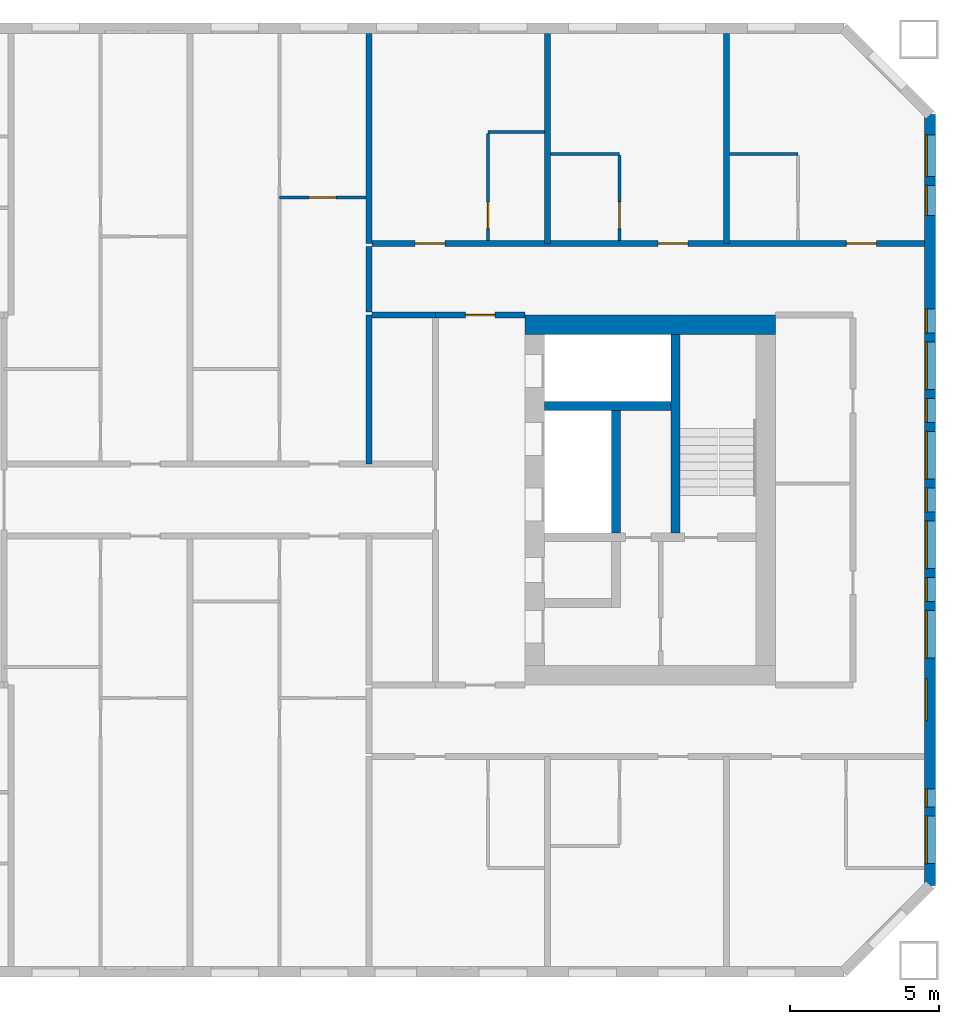
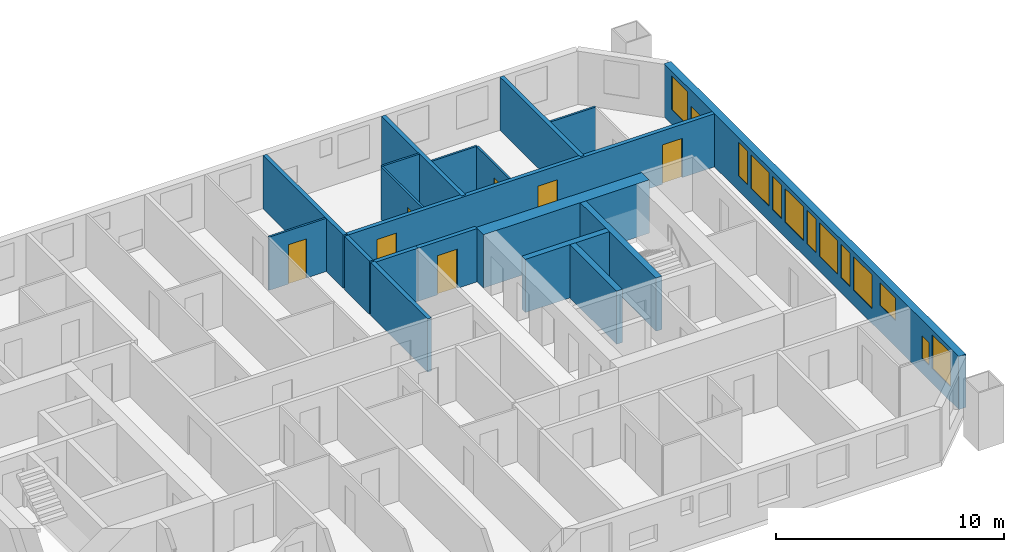
# One storey, part 14 of 17: 19 walls, 13 windows, 7 doors, 20 openings.
"""IFC4 building model written with IfcOpenShell, lengths in metres."""

from ifc_helpers import new_model, si_unit, direction, frame, frame_2d, origin, place, context, subcontext, project, spatial, rectangle, extrude, material, layer, layer_set, type_object, element, fill, save


model = new_model("IFC4")

# Units and contexts
model_context = context("Model", 3, precision=1e-05, world=origin(), true_north=direction((0.0, 1.0)))
body_context = subcontext(model_context, "Body", "Model", "MODEL_VIEW")
ifc_project = project(units=[si_unit("LENGTHUNIT", "METRE"), si_unit("AREAUNIT", "SQUARE_METRE"), si_unit("VOLUMEUNIT", "CUBIC_METRE"), si_unit("PLANEANGLEUNIT", "RADIAN"), si_unit("MASSUNIT", "GRAM", prefix="KILO")], contexts=[model_context])

# Site, building, storey
site_placement = place(None, origin())
site = spatial("IfcSite", under=ifc_project, at=site_placement, CompositionType="ELEMENT")
building_placement = place(site_placement, origin())
building = spatial("IfcBuilding", under=site, at=building_placement, Name="Tuart Gate Housing", CompositionType="ELEMENT")
storey_placement = place(building_placement, frame((0.0, 0.0, 108.800048828125)))
storey = spatial("IfcBuildingStorey", under=building, at=storey_placement, Name="L30", CompositionType="ELEMENT", Elevation=108.800048828125)

# Wall, openings, windows
ifc_material_1 = material(Name="Brick", Category="masonry")
ifc_layer_1 = layer(ifc_material_1, 0.360107421875)
ifc_layer_set_1 = layer_set([ifc_layer_1], Name="Brick pier and spandrel wall 360")
wall_type_1 = type_object("IfcWallType", Name="Brick pier and spandrel wall 360", PredefinedType="STANDARD", material=ifc_layer_set_1)
wall_1_placement = place(storey_placement, frame((173.820068359375, 57.07470703125, 0.0), z_axis=(0.0, 0.0, 1.0), x_axis=(0.0, 1.0, 0.0)))
wall_1 = element("IfcWall", 1, at=wall_1_placement, inside=storey, type_object=wall_type_1, Name="External wall B-E L30", PredefinedType="STANDARD", context=body_context, shape_type="SweptSolid", body=[
    extrude(rectangle(XDim=25.850830078125, YDim=0.360107421875, at=frame_2d((12.92529296875, 0.0))), origin(), (0.0, 0.0, 1.0), 2.849853515625),
])
opening_1_placement = place(wall_1_placement, frame((0.725341796875, 0.0, 0.800048828125)))
opening_1 = element("IfcOpeningElement", 2, at=opening_1_placement, cuts=wall_1, Name="Opening W1", PredefinedType="OPENING", context=body_context, shape_type="SweptSolid", body=[
    extrude(rectangle(XDim=1.60009765625, YDim=1.800048828125, at=frame_2d((0.800048828125, 0.89990234375))), frame((0.0, 0.18994140625, 0.0), z_axis=(0.0, -1.0, 0.0), x_axis=(1.0, 0.0, 0.0)), (0.0, 0.0, 1.0), 0.380126953125),
])
opening_2_placement = place(wall_1_placement, frame((5.525390625, 0.0, 1.39990234375)))
opening_2 = element("IfcOpeningElement", 3, at=opening_2_placement, cuts=wall_1, Name="Opening W1M", PredefinedType="OPENING", context=body_context, shape_type="SweptSolid", body=[
    extrude(rectangle(XDim=1.39990234375, YDim=1.199951171875, at=frame_2d((0.699951171875, 0.60009765625))), frame((0.0, 0.18994140625, 0.0), z_axis=(0.0, -1.0, 0.0), x_axis=(1.0, 0.0, 0.0)), (0.0, 0.0, 1.0), 0.380126953125),
])
opening_3_placement = place(wall_1_placement, frame((7.62548828125, 0.0, 0.800048828125)))
opening_3 = element("IfcOpeningElement", 4, at=opening_3_placement, cuts=wall_1, Name="Opening W1", PredefinedType="OPENING", context=body_context, shape_type="SweptSolid", body=[
    extrude(rectangle(XDim=1.60009765625, YDim=1.800048828125, at=frame_2d((0.800048828125, 0.89990234375))), frame((0.0, 0.18994140625, 0.0), z_axis=(0.0, -1.0, 0.0), x_axis=(1.0, 0.0, 0.0)), (0.0, 0.0, 1.0), 0.380126953125),
])
opening_4_placement = place(wall_1_placement, frame((10.62548828125, 0.0, 0.800048828125)))
opening_4 = element("IfcOpeningElement", 5, at=opening_4_placement, cuts=wall_1, Name="Opening W1", PredefinedType="OPENING", context=body_context, shape_type="SweptSolid", body=[
    extrude(rectangle(XDim=1.60009765625, YDim=1.800048828125, at=frame_2d((0.800048828125, 0.89990234375))), frame((0.0, 0.18994140625, 0.0), z_axis=(0.0, -1.0, 0.0), x_axis=(1.0, 0.0, 0.0)), (0.0, 0.0, 1.0), 0.380126953125),
])
opening_5_placement = place(wall_1_placement, frame((13.62548828125, 0.0, 0.800048828125)))
opening_5 = element("IfcOpeningElement", 6, at=opening_5_placement, cuts=wall_1, Name="Opening W1", PredefinedType="OPENING", context=body_context, shape_type="SweptSolid", body=[
    extrude(rectangle(XDim=1.60009765625, YDim=1.800048828125, at=frame_2d((0.800048828125, 0.89990234375))), frame((0.0, 0.18994140625, 0.0), z_axis=(0.0, -1.0, 0.0), x_axis=(1.0, 0.0, 0.0)), (0.0, 0.0, 1.0), 0.380126953125),
])
opening_6_placement = place(wall_1_placement, frame((16.62548828125, 0.0, 0.800048828125)))
opening_6 = element("IfcOpeningElement", 7, at=opening_6_placement, cuts=wall_1, Name="Opening W1", PredefinedType="OPENING", context=body_context, shape_type="SweptSolid", body=[
    extrude(rectangle(XDim=1.60009765625, YDim=1.800048828125, at=frame_2d((0.800048828125, 0.89990234375))), frame((0.0, 0.18994140625, 0.0), z_axis=(0.0, -1.0, 0.0), x_axis=(1.0, 0.0, 0.0)), (0.0, 0.0, 1.0), 0.380126953125),
])
opening_7_placement = place(wall_1_placement, frame((9.525390625, 0.0, 0.800048828125)))
opening_7 = element("IfcOpeningElement", 8, at=opening_7_placement, cuts=wall_1, Name="Opening W1D", PredefinedType="OPENING", context=body_context, shape_type="SweptSolid", body=[
    extrude(rectangle(XDim=0.800048828125, YDim=1.800048828125, at=frame_2d((0.39990234375, 0.89990234375))), frame((0.0, 0.18994140625, 0.0), z_axis=(0.0, -1.0, 0.0), x_axis=(1.0, 0.0, 0.0)), (0.0, 0.0, 1.0), 0.380126953125),
])
opening_8_placement = place(wall_1_placement, frame((22.475341796875, 0.0, 0.800048828125)))
opening_8 = element("IfcOpeningElement", 9, at=opening_8_placement, cuts=wall_1, Name="Opening W1O", PredefinedType="OPENING", context=body_context, shape_type="SweptSolid", body=[
    extrude(rectangle(XDim=1.0, YDim=1.199951171875, at=frame_2d((0.5, 0.60009765625))), frame((0.0, 0.18994140625, 0.0), z_axis=(0.0, -1.0, 0.0), x_axis=(1.0, 0.0, 0.0)), (0.0, 0.0, 1.0), 0.380126953125),
])
opening_9_placement = place(wall_1_placement, frame((2.62548828125, 0.0, 0.800048828125)))
opening_9 = element("IfcOpeningElement", 10, at=opening_9_placement, cuts=wall_1, Name="Opening W1Q", PredefinedType="OPENING", context=body_context, shape_type="SweptSolid", body=[
    extrude(rectangle(XDim=0.60009765625, YDim=1.199951171875, at=frame_2d((0.300048828125, 0.60009765625))), frame((0.0, 0.18994140625, 0.0), z_axis=(0.0, -1.0, 0.0), x_axis=(1.0, 0.0, 0.0)), (0.0, 0.0, 1.0), 0.380126953125),
])
opening_10_placement = place(wall_1_placement, frame((12.525390625, 0.0, 0.800048828125)))
opening_10 = element("IfcOpeningElement", 11, at=opening_10_placement, cuts=wall_1, Name="Opening W1D", PredefinedType="OPENING", context=body_context, shape_type="SweptSolid", body=[
    extrude(rectangle(XDim=0.800048828125, YDim=1.800048828125, at=frame_2d((0.39990234375, 0.89990234375))), frame((0.0, 0.18994140625, 0.0), z_axis=(0.0, -1.0, 0.0), x_axis=(1.0, 0.0, 0.0)), (0.0, 0.0, 1.0), 0.380126953125),
])
opening_11_placement = place(wall_1_placement, frame((15.525390625, 0.0, 0.800048828125)))
opening_11 = element("IfcOpeningElement", 12, at=opening_11_placement, cuts=wall_1, Name="Opening W1D", PredefinedType="OPENING", context=body_context, shape_type="SweptSolid", body=[
    extrude(rectangle(XDim=0.800048828125, YDim=1.800048828125, at=frame_2d((0.39990234375, 0.89990234375))), frame((0.0, 0.18994140625, 0.0), z_axis=(0.0, -1.0, 0.0), x_axis=(1.0, 0.0, 0.0)), (0.0, 0.0, 1.0), 0.380126953125),
])
opening_12_placement = place(wall_1_placement, frame((18.525390625, 0.0, 0.800048828125)))
opening_12 = element("IfcOpeningElement", 13, at=opening_12_placement, cuts=wall_1, Name="Opening W1D", PredefinedType="OPENING", context=body_context, shape_type="SweptSolid", body=[
    extrude(rectangle(XDim=0.800048828125, YDim=1.800048828125, at=frame_2d((0.39990234375, 0.89990234375))), frame((0.0, 0.18994140625, 0.0), z_axis=(0.0, -1.0, 0.0), x_axis=(1.0, 0.0, 0.0)), (0.0, 0.0, 1.0), 0.380126953125),
])
opening_13_placement = place(wall_1_placement, frame((23.775390625, 0.0, 0.800048828125)))
opening_13 = element("IfcOpeningElement", 14, at=opening_13_placement, cuts=wall_1, Name="Opening W1A", PredefinedType="OPENING", context=body_context, shape_type="SweptSolid", body=[
    extrude(rectangle(XDim=1.39990234375, YDim=1.800048828125, at=frame_2d((0.699951171875, 0.89990234375))), frame((0.0, 0.18994140625, 0.0), z_axis=(0.0, -1.0, 0.0), x_axis=(1.0, 0.0, 0.0)), (0.0, 0.0, 1.0), 0.380126953125),
])
ifc_material_2 = material(Name="Aluminium frame with clear glass", Category="aluminium")
window_type_1 = type_object("IfcWindowType", Name="Punched window 1000 x 1200", PartitioningType="SINGLE_PANEL", PredefinedType="WINDOW", material=ifc_material_2)
window_1_placement = place(opening_8_placement, origin())
window_1 = element("IfcWindow", 15, at=window_1_placement, inside=storey, type_object=window_type_1, Name="Window W1O", OverallHeight=1.199951171875, OverallWidth=1.0, PartitioningType="SINGLE_PANEL", PredefinedType="WINDOW", context=body_context, shape_type="SweptSolid", body=[
    extrude(rectangle(XDim=1.0, YDim=1.199951171875, at=frame_2d((0.5, 0.60009765625))), frame((0.0, 0.150146484375, 0.0), z_axis=(0.0, -1.0, 0.0), x_axis=(1.0, 0.0, 0.0)), (0.0, 0.0, 1.0), 0.06005859375),
])
fill(opening_8, window_1)
ifc_material_3 = material(Name="Aluminium frame with clear glass", Category="aluminium")
window_type_2 = type_object("IfcWindowType", Name="Punched window 1400 x 1200", PartitioningType="SINGLE_PANEL", PredefinedType="WINDOW", material=ifc_material_3)
window_2_placement = place(opening_2_placement, origin())
window_2 = element("IfcWindow", 16, at=window_2_placement, inside=storey, type_object=window_type_2, Name="Window W1M", OverallHeight=1.199951171875, OverallWidth=1.39990234375, PartitioningType="SINGLE_PANEL", PredefinedType="WINDOW", context=body_context, shape_type="SweptSolid", body=[
    extrude(rectangle(XDim=1.39990234375, YDim=1.199951171875, at=frame_2d((0.699951171875, 0.60009765625))), frame((0.0, 0.150146484375, 0.0), z_axis=(0.0, -1.0, 0.0), x_axis=(1.0, 0.0, 0.0)), (0.0, 0.0, 1.0), 0.06005859375),
])
fill(opening_2, window_2)
ifc_material_4 = material(Name="Aluminium frame with clear glass", Category="aluminium")
window_type_3 = type_object("IfcWindowType", Name="Punched window 1400 x 1800", PartitioningType="SINGLE_PANEL", PredefinedType="WINDOW", material=ifc_material_4)
window_3_placement = place(opening_13_placement, origin())
window_3 = element("IfcWindow", 17, at=window_3_placement, inside=storey, type_object=window_type_3, Name="Window W1A", OverallHeight=1.800048828125, OverallWidth=1.39990234375, PartitioningType="SINGLE_PANEL", PredefinedType="WINDOW", context=body_context, shape_type="SweptSolid", body=[
    extrude(rectangle(XDim=1.39990234375, YDim=1.800048828125, at=frame_2d((0.699951171875, 0.89990234375))), frame((0.0, 0.150146484375, 0.0), z_axis=(0.0, -1.0, 0.0), x_axis=(1.0, 0.0, 0.0)), (0.0, 0.0, 1.0), 0.06005859375),
])
fill(opening_13, window_3)
ifc_material_5 = material(Name="Aluminium frame with clear glass", Category="aluminium")
window_type_4 = type_object("IfcWindowType", Name="Punched window 1600 x 1800", PartitioningType="SINGLE_PANEL", PredefinedType="WINDOW", material=ifc_material_5)
window_4_placement = place(opening_1_placement, origin())
window_4 = element("IfcWindow", 18, at=window_4_placement, inside=storey, type_object=window_type_4, Name="Window W1", OverallHeight=1.800048828125, OverallWidth=1.60009765625, PartitioningType="SINGLE_PANEL", PredefinedType="WINDOW", context=body_context, shape_type="SweptSolid", body=[
    extrude(rectangle(XDim=1.60009765625, YDim=1.800048828125, at=frame_2d((0.800048828125, 0.89990234375))), frame((0.0, 0.150146484375, 0.0), z_axis=(0.0, -1.0, 0.0), x_axis=(1.0, 0.0, 0.0)), (0.0, 0.0, 1.0), 0.06005859375),
])
fill(opening_1, window_4)
window_5_placement = place(opening_3_placement, origin())
window_5 = element("IfcWindow", 19, at=window_5_placement, inside=storey, type_object=window_type_4, Name="Window W1", OverallHeight=1.800048828125, OverallWidth=1.60009765625, PartitioningType="SINGLE_PANEL", PredefinedType="WINDOW", context=body_context, shape_type="SweptSolid", body=[
    extrude(rectangle(XDim=1.60009765625, YDim=1.800048828125, at=frame_2d((0.800048828125, 0.89990234375))), frame((0.0, 0.150146484375, 0.0), z_axis=(0.0, -1.0, 0.0), x_axis=(1.0, 0.0, 0.0)), (0.0, 0.0, 1.0), 0.06005859375),
])
fill(opening_3, window_5)
window_6_placement = place(opening_4_placement, origin())
window_6 = element("IfcWindow", 20, at=window_6_placement, inside=storey, type_object=window_type_4, Name="Window W1", OverallHeight=1.800048828125, OverallWidth=1.60009765625, PartitioningType="SINGLE_PANEL", PredefinedType="WINDOW", context=body_context, shape_type="SweptSolid", body=[
    extrude(rectangle(XDim=1.60009765625, YDim=1.800048828125, at=frame_2d((0.800048828125, 0.89990234375))), frame((0.0, 0.150146484375, 0.0), z_axis=(0.0, -1.0, 0.0), x_axis=(1.0, 0.0, 0.0)), (0.0, 0.0, 1.0), 0.06005859375),
])
fill(opening_4, window_6)
window_7_placement = place(opening_5_placement, origin())
window_7 = element("IfcWindow", 21, at=window_7_placement, inside=storey, type_object=window_type_4, Name="Window W1", OverallHeight=1.800048828125, OverallWidth=1.60009765625, PartitioningType="SINGLE_PANEL", PredefinedType="WINDOW", context=body_context, shape_type="SweptSolid", body=[
    extrude(rectangle(XDim=1.60009765625, YDim=1.800048828125, at=frame_2d((0.800048828125, 0.89990234375))), frame((0.0, 0.150146484375, 0.0), z_axis=(0.0, -1.0, 0.0), x_axis=(1.0, 0.0, 0.0)), (0.0, 0.0, 1.0), 0.06005859375),
])
fill(opening_5, window_7)
window_8_placement = place(opening_6_placement, origin())
window_8 = element("IfcWindow", 22, at=window_8_placement, inside=storey, type_object=window_type_4, Name="Window W1", OverallHeight=1.800048828125, OverallWidth=1.60009765625, PartitioningType="SINGLE_PANEL", PredefinedType="WINDOW", context=body_context, shape_type="SweptSolid", body=[
    extrude(rectangle(XDim=1.60009765625, YDim=1.800048828125, at=frame_2d((0.800048828125, 0.89990234375))), frame((0.0, 0.150146484375, 0.0), z_axis=(0.0, -1.0, 0.0), x_axis=(1.0, 0.0, 0.0)), (0.0, 0.0, 1.0), 0.06005859375),
])
fill(opening_6, window_8)
ifc_material_6 = material(Name="Aluminium frame with clear glass", Category="aluminium")
window_type_5 = type_object("IfcWindowType", Name="Punched window 600 x 1200", PartitioningType="SINGLE_PANEL", PredefinedType="WINDOW", material=ifc_material_6)
window_9_placement = place(opening_9_placement, origin())
window_9 = element("IfcWindow", 23, at=window_9_placement, inside=storey, type_object=window_type_5, Name="Window W1Q", OverallHeight=1.199951171875, OverallWidth=0.60009765625, PartitioningType="SINGLE_PANEL", PredefinedType="WINDOW", context=body_context, shape_type="SweptSolid", body=[
    extrude(rectangle(XDim=0.60009765625, YDim=1.199951171875, at=frame_2d((0.300048828125, 0.60009765625))), frame((0.0, 0.150146484375, 0.0), z_axis=(0.0, -1.0, 0.0), x_axis=(1.0, 0.0, 0.0)), (0.0, 0.0, 1.0), 0.06005859375),
])
fill(opening_9, window_9)
ifc_material_7 = material(Name="Aluminium frame with clear glass", Category="aluminium")
window_type_6 = type_object("IfcWindowType", Name="Punched window 800 x 1800", PartitioningType="SINGLE_PANEL", PredefinedType="WINDOW", material=ifc_material_7)
window_10_placement = place(opening_7_placement, origin())
window_10 = element("IfcWindow", 24, at=window_10_placement, inside=storey, type_object=window_type_6, Name="Window W1D", OverallHeight=1.800048828125, OverallWidth=0.800048828125, PartitioningType="SINGLE_PANEL", PredefinedType="WINDOW", context=body_context, shape_type="SweptSolid", body=[
    extrude(rectangle(XDim=0.800048828125, YDim=1.800048828125, at=frame_2d((0.39990234375, 0.89990234375))), frame((0.0, 0.150146484375, 0.0), z_axis=(0.0, -1.0, 0.0), x_axis=(1.0, 0.0, 0.0)), (0.0, 0.0, 1.0), 0.06005859375),
])
fill(opening_7, window_10)
window_11_placement = place(opening_10_placement, origin())
window_11 = element("IfcWindow", 25, at=window_11_placement, inside=storey, type_object=window_type_6, Name="Window W1D", OverallHeight=1.800048828125, OverallWidth=0.800048828125, PartitioningType="SINGLE_PANEL", PredefinedType="WINDOW", context=body_context, shape_type="SweptSolid", body=[
    extrude(rectangle(XDim=0.800048828125, YDim=1.800048828125, at=frame_2d((0.39990234375, 0.89990234375))), frame((0.0, 0.150146484375, 0.0), z_axis=(0.0, -1.0, 0.0), x_axis=(1.0, 0.0, 0.0)), (0.0, 0.0, 1.0), 0.06005859375),
])
fill(opening_10, window_11)
window_12_placement = place(opening_11_placement, origin())
window_12 = element("IfcWindow", 26, at=window_12_placement, inside=storey, type_object=window_type_6, Name="Window W1D", OverallHeight=1.800048828125, OverallWidth=0.800048828125, PartitioningType="SINGLE_PANEL", PredefinedType="WINDOW", context=body_context, shape_type="SweptSolid", body=[
    extrude(rectangle(XDim=0.800048828125, YDim=1.800048828125, at=frame_2d((0.39990234375, 0.89990234375))), frame((0.0, 0.150146484375, 0.0), z_axis=(0.0, -1.0, 0.0), x_axis=(1.0, 0.0, 0.0)), (0.0, 0.0, 1.0), 0.06005859375),
])
fill(opening_11, window_12)
window_13_placement = place(opening_12_placement, origin())
window_13 = element("IfcWindow", 27, at=window_13_placement, inside=storey, type_object=window_type_6, Name="Window W1D", OverallHeight=1.800048828125, OverallWidth=0.800048828125, PartitioningType="SINGLE_PANEL", PredefinedType="WINDOW", context=body_context, shape_type="SweptSolid", body=[
    extrude(rectangle(XDim=0.800048828125, YDim=1.800048828125, at=frame_2d((0.39990234375, 0.89990234375))), frame((0.0, 0.150146484375, 0.0), z_axis=(0.0, -1.0, 0.0), x_axis=(1.0, 0.0, 0.0)), (0.0, 0.0, 1.0), 0.06005859375),
])
fill(opening_12, window_13)

# Walls
ifc_material_8 = material(Name="Concrete C50", Category="concrete")
ifc_layer_2 = layer(ifc_material_8, 0.300048828125)
ifc_layer_set_2 = layer_set([ifc_layer_2], Name="Core wall 300 C50")
wall_type_2 = type_object("IfcWallType", Name="Core wall 300 C50", PredefinedType="SHEAR", material=ifc_layer_set_2)
wall_2_placement = place(storey_placement, frame((160.889892578125, 73.14990234375, 0.0), z_axis=(0.0, 0.0, 1.0), x_axis=(1.0, 0.0, 0.0)))
element("IfcWall", 28, at=wall_2_placement, inside=storey, type_object=wall_type_2, Name="Core wall BK.1", PredefinedType="SHEAR", context=body_context, shape_type="SweptSolid", body=[
    extrude(rectangle(XDim=4.25, YDim=0.300048828125, at=frame_2d((2.125, 0.0))), origin(), (0.0, 0.0, 1.0), 2.849853515625),
])
wall_3_placement = place(storey_placement, frame((163.2900390625, 73.0, 0.0), z_axis=(0.0, 0.0, 1.0), x_axis=(0.0, -1.0, 0.0)))
element("IfcWall", 29, at=wall_3_placement, inside=storey, type_object=wall_type_2, Name="Core wall BK.4", PredefinedType="SHEAR", context=body_context, shape_type="SweptSolid", body=[
    extrude(rectangle(XDim=4.10009765625, YDim=0.300048828125, at=frame_2d((2.050048828125, 0.0))), origin(), (0.0, 0.0, 1.0), 2.849853515625),
])
wall_4_placement = place(storey_placement, frame((165.2900390625, 75.550048828125, 0.0), z_axis=(0.0, 0.0, 1.0), x_axis=(0.0, -1.0, 0.0)))
element("IfcWall", 30, at=wall_4_placement, inside=storey, type_object=wall_type_2, Name="Core wall BK.7", PredefinedType="SHEAR", context=body_context, shape_type="SweptSolid", body=[
    extrude(rectangle(XDim=6.650146484375, YDim=0.300048828125, at=frame_2d((3.3251953125, 0.0))), origin(), (0.0, 0.0, 1.0), 2.849853515625),
])
ifc_material_9 = material(Name="Concrete C50", Category="concrete")
ifc_layer_3 = layer(ifc_material_9, 0.64990234375)
ifc_layer_set_3 = layer_set([ifc_layer_3], Name="Core wall 650 C50")
wall_type_3 = type_object("IfcWallType", Name="Core wall 650 C50", PredefinedType="SHEAR", material=ifc_layer_set_3)
wall_5_placement = place(storey_placement, frame((160.239990234375, 75.875, 0.0), z_axis=(0.0, 0.0, 1.0), x_axis=(1.0, 0.0, 0.0)))
element("IfcWall", 31, at=wall_5_placement, inside=storey, type_object=wall_type_3, Name="Core wall BK south", PredefinedType="SHEAR", context=body_context, shape_type="SweptSolid", body=[
    extrude(rectangle(XDim=8.39990234375, YDim=0.64990234375, at=frame_2d((4.199951171875, 0.0))), origin(), (0.0, 0.0, 1.0), 2.849853515625),
])
ifc_material_10 = material(Name="Concrete masonry 15 MPa", Category="masonry")
ifc_layer_4 = layer(ifc_material_10, 0.199951171875)
ifc_layer_set_4 = layer_set([ifc_layer_4], Name="Corridor wall masonry 200")
wall_type_4 = type_object("IfcWallType", Name="Corridor wall masonry 200", PredefinedType="PARTITIONING", material=ifc_layer_set_4)
wall_6_placement = place(storey_placement, frame((155.10009765625, 76.199951171875, 0.0), z_axis=(0.0, 0.0, 1.0), x_axis=(1.0, 0.0, 0.0)))
element("IfcWall", 32, at=wall_6_placement, inside=storey, type_object=wall_type_4, Name="Corridor wall masonry 200", PredefinedType="PARTITIONING", context=body_context, shape_type="SweptSolid", body=[
    extrude(rectangle(XDim=2.139892578125, YDim=0.199951171875, at=frame_2d((1.06982421875, 0.0))), origin(), (0.0, 0.0, 1.0), 2.849853515625),
])

# Wall, openings, doors
wall_7_placement = place(storey_placement, frame((155.10009765625, 78.60009765625, 0.0), z_axis=(0.0, 0.0, 1.0), x_axis=(1.0, 0.0, 0.0)))
wall_7 = element("IfcWall", 33, at=wall_7_placement, inside=storey, type_object=wall_type_4, Name="Corridor wall masonry 200", PredefinedType="PARTITIONING", context=body_context, shape_type="SweptSolid", body=[
    extrude(rectangle(XDim=18.539794921875, YDim=0.199951171875, at=frame_2d((9.27001953125, 0.0))), origin(), (0.0, 0.0, 1.0), 2.849853515625),
])
opening_14_placement = place(wall_7_placement, frame((1.449951171875, 0.0, 0.0)))
opening_14 = element("IfcOpeningElement", 34, at=opening_14_placement, cuts=wall_7, Name="Opening D1246", PredefinedType="OPENING", context=body_context, shape_type="SweptSolid", body=[
    extrude(rectangle(XDim=1.0, YDim=2.10009765625, at=frame_2d((0.5, 1.050048828125))), frame((0.0, 0.10986328125, 0.0), z_axis=(0.0, -1.0, 0.0), x_axis=(1.0, 0.0, 0.0)), (0.0, 0.0, 1.0), 0.219970703125),
])
opening_15_placement = place(wall_7_placement, frame((9.60009765625, 0.0, 0.0)))
opening_15 = element("IfcOpeningElement", 35, at=opening_15_placement, cuts=wall_7, Name="Opening D1247", PredefinedType="OPENING", context=body_context, shape_type="SweptSolid", body=[
    extrude(rectangle(XDim=1.0, YDim=2.10009765625, at=frame_2d((0.5, 1.050048828125))), frame((0.0, 0.10986328125, 0.0), z_axis=(0.0, -1.0, 0.0), x_axis=(1.0, 0.0, 0.0)), (0.0, 0.0, 1.0), 0.219970703125),
])
opening_16_placement = place(wall_7_placement, frame((15.919921875, 0.0, 0.0)))
opening_16 = element("IfcOpeningElement", 36, at=opening_16_placement, cuts=wall_7, Name="Opening D1248", PredefinedType="OPENING", context=body_context, shape_type="SweptSolid", body=[
    extrude(rectangle(XDim=1.0, YDim=2.10009765625, at=frame_2d((0.5, 1.050048828125))), frame((0.0, 0.10986328125, 0.0), z_axis=(0.0, -1.0, 0.0), x_axis=(1.0, 0.0, 0.0)), (0.0, 0.0, 1.0), 0.219970703125),
])
ifc_material_11 = material(Name="Timber door leaf in steel frame", Category="steel")
door_type_1 = type_object("IfcDoorType", Name="Flat entrance door 1000", OperationType="SINGLE_SWING_LEFT", PredefinedType="DOOR", material=ifc_material_11)
door_1_placement = place(opening_15_placement, origin())
door_1 = element("IfcDoor", 37, at=door_1_placement, inside=storey, type_object=door_type_1, Name="Flat entrance door", OperationType="SINGLE_SWING_LEFT", OverallHeight=2.10009765625, OverallWidth=1.0, PredefinedType="DOOR", context=body_context, shape_type="SweptSolid", body=[
    extrude(rectangle(XDim=1.0, YDim=2.10009765625, at=frame_2d((0.5, 1.050048828125))), frame((0.0, 0.02490234375, 0.0), z_axis=(0.0, -1.0, 0.0), x_axis=(1.0, 0.0, 0.0)), (0.0, 0.0, 1.0), 0.050048828125),
])
fill(opening_15, door_1)
door_2_placement = place(opening_16_placement, origin())
door_2 = element("IfcDoor", 38, at=door_2_placement, inside=storey, type_object=door_type_1, Name="Flat entrance door", OperationType="SINGLE_SWING_LEFT", OverallHeight=2.10009765625, OverallWidth=1.0, PredefinedType="DOOR", context=body_context, shape_type="SweptSolid", body=[
    extrude(rectangle(XDim=1.0, YDim=2.10009765625, at=frame_2d((0.5, 1.050048828125))), frame((0.0, 0.02490234375, 0.0), z_axis=(0.0, -1.0, 0.0), x_axis=(1.0, 0.0, 0.0)), (0.0, 0.0, 1.0), 0.050048828125),
])
fill(opening_16, door_2)
ifc_material_12 = material(Name="Timber door leaf in steel frame", Category="steel")
door_type_2 = type_object("IfcDoorType", Name="Flat entrance door 1000 RH", OperationType="SINGLE_SWING_RIGHT", PredefinedType="DOOR", material=ifc_material_12)
door_3_placement = place(opening_14_placement, origin())
door_3 = element("IfcDoor", 39, at=door_3_placement, inside=storey, type_object=door_type_2, Name="Flat entrance door", OperationType="SINGLE_SWING_RIGHT", OverallHeight=2.10009765625, OverallWidth=1.0, PredefinedType="DOOR", context=body_context, shape_type="SweptSolid", body=[
    extrude(rectangle(XDim=1.0, YDim=2.10009765625, at=frame_2d((0.5, 1.050048828125))), frame((0.0, 0.02490234375, 0.0), z_axis=(0.0, -1.0, 0.0), x_axis=(1.0, 0.0, 0.0)), (0.0, 0.0, 1.0), 0.050048828125),
])
fill(opening_14, door_3)

# Wall
wall_8_placement = place(storey_placement, frame((155.0, 76.300048828125, 0.0), z_axis=(0.0, 0.0, 1.0), x_axis=(0.0, 1.0, 0.0)))
element("IfcWall", 40, at=wall_8_placement, inside=storey, type_object=wall_type_4, Name="Corridor wall masonry 200", PredefinedType="PARTITIONING", context=body_context, shape_type="SweptSolid", body=[
    extrude(rectangle(XDim=2.199951171875, YDim=0.199951171875, at=frame_2d((1.10009765625, 0.0))), origin(), (0.0, 0.0, 1.0), 2.849853515625),
])

# Wall, opening, door
ifc_material_13 = material(Name="Concrete masonry 15 MPa", Category="masonry")
ifc_layer_5 = layer(ifc_material_13, 0.199951171875)
ifc_layer_set_5 = layer_set([ifc_layer_5], Name="Enclosure wall masonry 200")
wall_type_5 = type_object("IfcWallType", Name="Enclosure wall masonry 200", PredefinedType="PARTITIONING", material=ifc_layer_set_5)
wall_9_placement = place(storey_placement, frame((157.239990234375, 76.199951171875, 0.0), z_axis=(0.0, 0.0, 1.0), x_axis=(1.0, 0.0, 0.0)))
wall_9 = element("IfcWall", 41, at=wall_9_placement, inside=storey, type_object=wall_type_5, Name="Enclosure wall masonry 200", PredefinedType="PARTITIONING", context=body_context, shape_type="SweptSolid", body=[
    extrude(rectangle(XDim=3.0, YDim=0.199951171875, at=frame_2d((1.5, 0.0))), origin(), (0.0, 0.0, 1.0), 2.849853515625),
])
opening_17_placement = place(wall_9_placement, frame((1.0, 0.0, 0.0)))
opening_17 = element("IfcOpeningElement", 42, at=opening_17_placement, cuts=wall_9, Name="Opening D1254", PredefinedType="OPENING", context=body_context, shape_type="SweptSolid", body=[
    extrude(rectangle(XDim=1.0, YDim=2.10009765625, at=frame_2d((0.5, 1.050048828125))), frame((0.0, 0.10986328125, 0.0), z_axis=(0.0, -1.0, 0.0), x_axis=(1.0, 0.0, 0.0)), (0.0, 0.0, 1.0), 0.219970703125),
])
ifc_material_14 = material(Name="Timber door leaf in steel frame", Category="steel")
door_type_3 = type_object("IfcDoorType", Name="Fire door 1000", OperationType="SINGLE_SWING_LEFT", PredefinedType="DOOR", material=ifc_material_14)
door_4_placement = place(opening_17_placement, origin())
door_4 = element("IfcDoor", 43, at=door_4_placement, inside=storey, type_object=door_type_3, Name="Fire door", OperationType="SINGLE_SWING_LEFT", OverallHeight=2.10009765625, OverallWidth=1.0, PredefinedType="DOOR", context=body_context, shape_type="SweptSolid", body=[
    extrude(rectangle(XDim=1.0, YDim=2.10009765625, at=frame_2d((0.5, 1.050048828125))), frame((0.0, 0.02490234375, 0.0), z_axis=(0.0, -1.0, 0.0), x_axis=(1.0, 0.0, 0.0)), (0.0, 0.0, 1.0), 0.050048828125),
])
fill(opening_17, door_4)

ifc_material_15 = material(Name="Gypsum board on steel studs", Category="steel")
ifc_layer_6 = layer(ifc_material_15, 0.10009765625)
ifc_layer_set_6 = layer_set([ifc_layer_6], Name="Partition 100")
wall_type_6 = type_object("IfcWallType", Name="Partition 100", PredefinedType="PARTITIONING", material=ifc_layer_set_6)
wall_10_placement = place(storey_placement, frame((152.0, 80.139892578125, 0.0), z_axis=(0.0, 0.0, 1.0), x_axis=(1.0, 0.0, 0.0)))
wall_10 = element("IfcWall", 44, at=wall_10_placement, inside=storey, type_object=wall_type_6, Name="Partition 100", PredefinedType="PARTITIONING", context=body_context, shape_type="SweptSolid", body=[
    extrude(rectangle(XDim=2.89990234375, YDim=0.10009765625, at=frame_2d((1.449951171875, 0.0))), origin(), (0.0, 0.0, 1.0), 2.849853515625),
])
opening_18_placement = place(wall_10_placement, frame((1.0, 0.0, 0.0)))
opening_18 = element("IfcOpeningElement", 45, at=opening_18_placement, cuts=wall_10, Name="Opening D1240", PredefinedType="OPENING", context=body_context, shape_type="SweptSolid", body=[
    extrude(rectangle(XDim=0.89990234375, YDim=2.10009765625, at=frame_2d((0.449951171875, 1.050048828125))), frame((0.0, 0.06005859375, 0.0), z_axis=(0.0, -1.0, 0.0), x_axis=(1.0, 0.0, 0.0)), (0.0, 0.0, 1.0), 0.1201171875),
])
ifc_material_16 = material(Name="Timber door leaf in steel frame", Category="steel")
door_type_4 = type_object("IfcDoorType", Name="Internal door 900 RH", OperationType="SINGLE_SWING_RIGHT", PredefinedType="DOOR", material=ifc_material_16)
door_5_placement = place(opening_18_placement, frame((0.89990234375, 0.0, 0.0), z_axis=(0.0, 0.0, 1.0), x_axis=(-1.0, 0.0, 0.0)))
door_5 = element("IfcDoor", 46, at=door_5_placement, inside=storey, type_object=door_type_4, Name="Internal door", OperationType="SINGLE_SWING_RIGHT", OverallHeight=2.10009765625, OverallWidth=0.89990234375, PredefinedType="DOOR", context=body_context, shape_type="SweptSolid", body=[
    extrude(rectangle(XDim=0.89990234375, YDim=2.10009765625, at=frame_2d((0.449951171875, 1.050048828125))), frame((0.0, 0.025146484375, 0.0), z_axis=(0.0, -1.0, 0.0), x_axis=(1.0, 0.0, 0.0)), (0.0, 0.0, 1.0), 0.050048828125),
])
fill(opening_18, door_5)

# Walls
for number, where, z_axis, x_axis, name in (
    (47, (161.10009765625, 81.60009765625, 0.0), (0.0, 0.0, 1.0), (1.0, 0.0, 0.0), "Partition 100"),
    (48, (167.10009765625, 81.60009765625, 0.0), (0.0, 0.0, 1.0), (1.0, 0.0, 0.0), "Partition 100"),
):
    element("IfcWall", number, at=place(storey_placement, frame(where, z_axis=z_axis, x_axis=x_axis)), inside=storey, type_object=wall_type_6, Name=name, PredefinedType="PARTITIONING", context=body_context, shape_type="SweptSolid", body=[
        extrude(rectangle(XDim=2.2998046875, YDim=0.10009765625, at=frame_2d((1.14990234375, 0.0))), origin(), (0.0, 0.0, 1.0), 2.849853515625),
    ])
wall_11_placement = place(storey_placement, frame((159.0, 82.35009765625, 0.0), z_axis=(0.0, 0.0, 1.0), x_axis=(1.0, 0.0, 0.0)))
element("IfcWall", 49, at=wall_11_placement, inside=storey, type_object=wall_type_6, Name="Partition 100", PredefinedType="PARTITIONING", context=body_context, shape_type="SweptSolid", body=[
    extrude(rectangle(XDim=1.89990234375, YDim=0.10009765625, at=frame_2d((0.949951171875, 0.0))), origin(), (0.0, 0.0, 1.0), 2.849853515625),
])

# Wall, opening, door
wall_12_placement = place(storey_placement, frame((159.0, 78.699951171875, 0.0), z_axis=(0.0, 0.0, 1.0), x_axis=(0.0, 1.0, 0.0)))
wall_12 = element("IfcWall", 50, at=wall_12_placement, inside=storey, type_object=wall_type_6, Name="Partition 100", PredefinedType="PARTITIONING", context=body_context, shape_type="SweptSolid", body=[
    extrude(rectangle(XDim=3.60009765625, YDim=0.10009765625, at=frame_2d((1.800048828125, 0.0))), origin(), (0.0, 0.0, 1.0), 2.849853515625),
])
opening_19_placement = place(wall_12_placement, frame((0.39990234375, 0.0, 0.0)))
opening_19 = element("IfcOpeningElement", 51, at=opening_19_placement, cuts=wall_12, Name="Opening D1239", PredefinedType="OPENING", context=body_context, shape_type="SweptSolid", body=[
    extrude(rectangle(XDim=0.89990234375, YDim=2.10009765625, at=frame_2d((0.449951171875, 1.050048828125))), frame((0.0, 0.06005859375, 0.0), z_axis=(0.0, -1.0, 0.0), x_axis=(1.0, 0.0, 0.0)), (0.0, 0.0, 1.0), 0.1201171875),
])
ifc_material_17 = material(Name="Timber door leaf in steel frame", Category="steel")
door_type_5 = type_object("IfcDoorType", Name="Bathroom door 900 RH", OperationType="SINGLE_SWING_RIGHT", PredefinedType="DOOR", material=ifc_material_17)
door_6_placement = place(opening_19_placement, frame((0.89990234375, 0.0, 0.0), z_axis=(0.0, 0.0, 1.0), x_axis=(-1.0, 0.0, 0.0)))
door_6 = element("IfcDoor", 52, at=door_6_placement, inside=storey, type_object=door_type_5, Name="Bathroom door", OperationType="SINGLE_SWING_RIGHT", OverallHeight=2.10009765625, OverallWidth=0.89990234375, PredefinedType="DOOR", context=body_context, shape_type="SweptSolid", body=[
    extrude(rectangle(XDim=0.89990234375, YDim=2.10009765625, at=frame_2d((0.449951171875, 1.050048828125))), frame((0.0, 0.025146484375, 0.0), z_axis=(0.0, -1.0, 0.0), x_axis=(1.0, 0.0, 0.0)), (0.0, 0.0, 1.0), 0.050048828125),
])
fill(opening_19, door_6)

wall_13_placement = place(storey_placement, frame((163.39990234375, 78.699951171875, 0.0), z_axis=(0.0, 0.0, 1.0), x_axis=(0.0, 1.0, 0.0)))
wall_13 = element("IfcWall", 53, at=wall_13_placement, inside=storey, type_object=wall_type_6, Name="Partition 100", PredefinedType="PARTITIONING", context=body_context, shape_type="SweptSolid", body=[
    extrude(rectangle(XDim=2.85009765625, YDim=0.10009765625, at=frame_2d((1.425048828125, 0.0))), origin(), (0.0, 0.0, 1.0), 2.849853515625),
])
opening_20_placement = place(wall_13_placement, frame((0.39990234375, 0.0, 0.0)))
opening_20 = element("IfcOpeningElement", 54, at=opening_20_placement, cuts=wall_13, Name="Opening D1241", PredefinedType="OPENING", context=body_context, shape_type="SweptSolid", body=[
    extrude(rectangle(XDim=0.89990234375, YDim=2.10009765625, at=frame_2d((0.449951171875, 1.050048828125))), frame((0.0, 0.06005859375, 0.0), z_axis=(0.0, -1.0, 0.0), x_axis=(1.0, 0.0, 0.0)), (0.0, 0.0, 1.0), 0.1201171875),
])
ifc_material_18 = material(Name="Timber door leaf in steel frame", Category="steel")
door_type_6 = type_object("IfcDoorType", Name="Bathroom door 900", OperationType="SINGLE_SWING_LEFT", PredefinedType="DOOR", material=ifc_material_18)
door_7_placement = place(opening_20_placement, origin())
door_7 = element("IfcDoor", 55, at=door_7_placement, inside=storey, type_object=door_type_6, Name="Bathroom door", OperationType="SINGLE_SWING_LEFT", OverallHeight=2.10009765625, OverallWidth=0.89990234375, PredefinedType="DOOR", context=body_context, shape_type="SweptSolid", body=[
    extrude(rectangle(XDim=0.89990234375, YDim=2.10009765625, at=frame_2d((0.449951171875, 1.050048828125))), frame((0.0, 0.02490234375, 0.0), z_axis=(0.0, -1.0, 0.0), x_axis=(1.0, 0.0, 0.0)), (0.0, 0.0, 1.0), 0.050048828125),
])
fill(opening_20, door_7)

# Walls
ifc_material_19 = material(Name="Concrete C40", Category="concrete")
ifc_layer_7 = layer(ifc_material_19, 0.199951171875)
ifc_layer_set_7 = layer_set([ifc_layer_7], Name="Party wall concrete C40 200")
wall_type_7 = type_object("IfcWallType", Name="Party wall concrete C40 200", PredefinedType="SOLIDWALL", material=ifc_layer_set_7)
wall_14_placement = place(storey_placement, frame((155.0, 71.199951171875, 0.0), z_axis=(0.0, 0.0, 1.0), x_axis=(0.0, 1.0, 0.0)))
element("IfcWall", 56, at=wall_14_placement, inside=storey, type_object=wall_type_7, Name="Party wall concrete C40 200", PredefinedType="SOLIDWALL", context=body_context, shape_type="SweptSolid", body=[
    extrude(rectangle(XDim=5.0, YDim=0.199951171875, at=frame_2d((2.5, 0.0))), origin(), (0.0, 0.0, 1.0), 2.849853515625),
])
for number, where, z_axis, x_axis, name in (
    (57, (155.0, 78.60009765625, 0.0), (0.0, 0.0, 1.0), (0.0, 1.0, 0.0), "Party wall concrete C40 200"),
    (58, (161.0, 78.60009765625, 0.0), (0.0, 0.0, 1.0), (0.0, 1.0, 0.0), "Party wall concrete C40 200"),
    (59, (167.0, 78.60009765625, 0.0), (0.0, 0.0, 1.0), (0.0, 1.0, 0.0), "Party wall concrete C40 200"),
):
    element("IfcWall", number, at=place(storey_placement, frame(where, z_axis=z_axis, x_axis=x_axis)), inside=storey, type_object=wall_type_7, Name=name, PredefinedType="SOLIDWALL", context=body_context, shape_type="SweptSolid", body=[
        extrude(rectangle(XDim=7.039794921875, YDim=0.199951171875, at=frame_2d((3.52001953125, 0.0))), origin(), (0.0, 0.0, 1.0), 2.849853515625),
    ])

save(model, "model.ifc")
